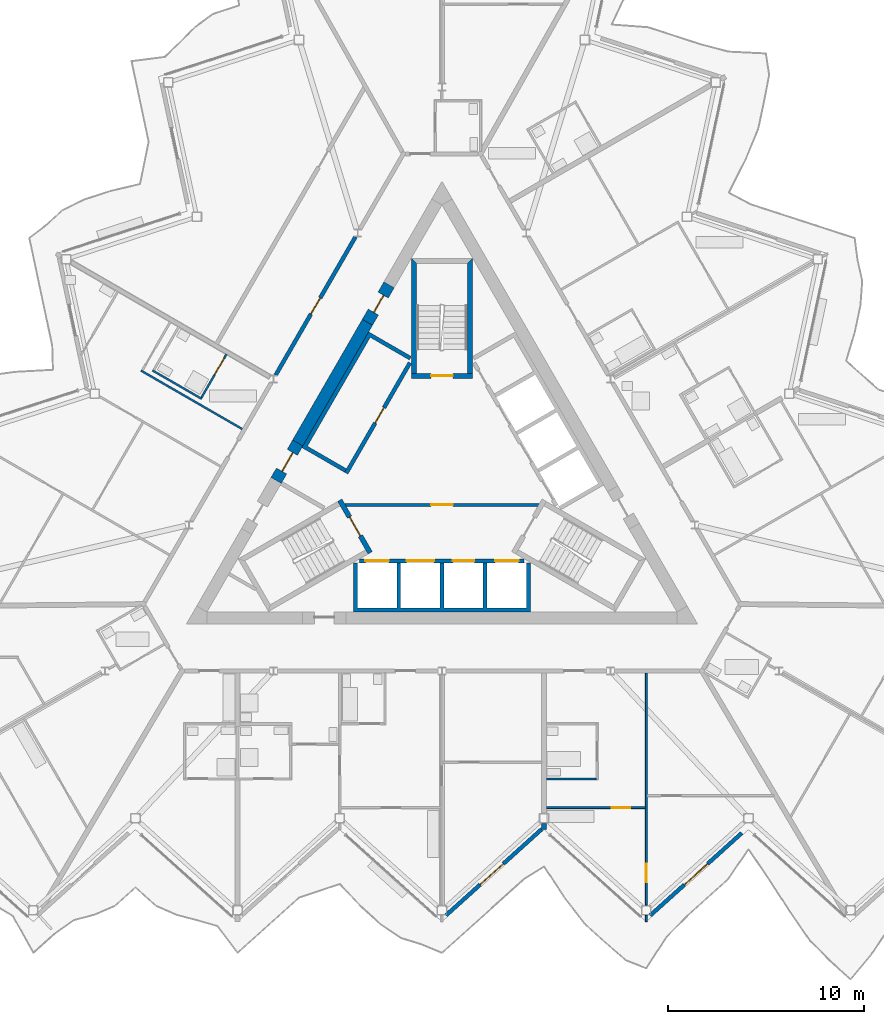
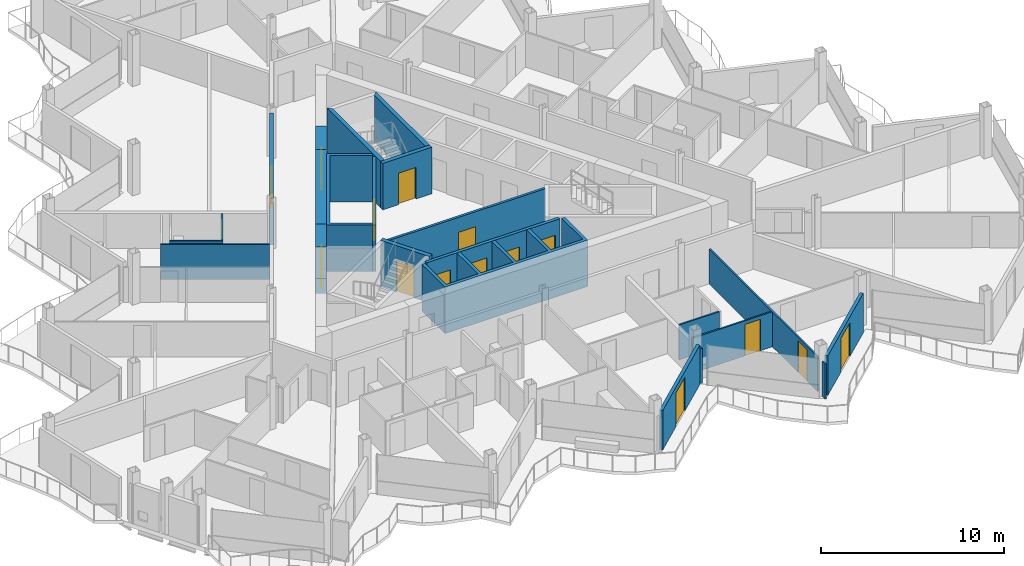
# One storey, part 14 of 26: 23 walls, 16 doors, 16 openings.
"""IFC4 building model written with IfcOpenShell, lengths in metres."""

import ifcopenshell
import ifcopenshell.guid

model = None  # the IFC model being written
_history = None  # IfcOwnerHistory: only IFC2X3 demands one
_inside = {}  # id of a spatial element -> (the spatial element, [elements in it])
_under = {}  # id of a project, library or spatial element -> (it, [spatial elements below it])
_declared = {}  # id of a project -> (the project, [libraries it declares])
_typed = {}  # id of a type object -> (the type object, [elements of that type])
_made_of = {}  # id of a material, layer set ... -> (it, [elements and type objects made of it])


def new_model(schema):
    """Start an empty IFC model of exactly this schema.

    Asked for "IFC4X3", IfcOpenShell would pick the latest addendum, in which some entities
    have other attributes; the version numbers below select the first issue.
    IFC2X3 requires an IfcOwnerHistory on every rooted entity: one is made here for all.
    """
    global model, _history
    if schema == "IFC4X3":
        model = ifcopenshell.file(schema_version=(4, 3, 0, 0))
    else:
        model = ifcopenshell.file(schema=schema)
    _inside.clear()
    _under.clear()
    _declared.clear()
    _typed.clear()
    _made_of.clear()
    _history = None
    if model.schema == "IFC2X3":
        org = make("IfcOrganization", Name="unknown")
        user = make(
            "IfcPersonAndOrganization",
            ThePerson=make("IfcPerson", FamilyName="unknown"),
            TheOrganization=org,
        )
        app = make(
            "IfcApplication",
            ApplicationDeveloper=org,
            Version="unknown",
            ApplicationFullName="unknown",
            ApplicationIdentifier="unknown",
        )
        _history = make(
            "IfcOwnerHistory",
            OwningUser=user,
            OwningApplication=app,
            ChangeAction="ADDED",
            CreationDate=0,
        )
    return model


def make(cls, **values):
    """One entity of the class cls with the attributes given. An attribute that is None is left unset."""
    return model.create_entity(
        cls, **{name: value for name, value in values.items() if value is not None}
    )


def rooted(cls, **values):
    """An entity with a GlobalId (a new one), such as an element, a storey or a relation."""
    return make(cls, GlobalId=ifcopenshell.guid.new(), OwnerHistory=_history, **values)


def si_unit(unit_type, name, prefix=None):
    """IfcSIUnit, for example si_unit("LENGTHUNIT", "METRE", prefix="MILLI")."""
    return make("IfcSIUnit", UnitType=unit_type, Prefix=prefix, Name=name)


def assignment(units):
    """IfcUnitAssignment: the units of a project."""
    return None if units is None else make("IfcUnitAssignment", Units=units)


def point(xyz):
    """IfcCartesianPoint."""
    return None if xyz is None else make("IfcCartesianPoint", Coordinates=xyz)


def direction(xyz):
    """IfcDirection."""
    return None if xyz is None else make("IfcDirection", DirectionRatios=xyz)


def frame(location, z_axis=None, x_axis=None):
    """IfcAxis2Placement3D, a coordinate frame: its origin and axes. An axis left out is left unset."""
    return make(
        "IfcAxis2Placement3D",
        Location=point(location),
        Axis=direction(z_axis),
        RefDirection=direction(x_axis),
    )


def frame_2d(location, x_axis=None):
    """IfcAxis2Placement2D, a coordinate frame in the plane: its origin and x axis."""
    return make(
        "IfcAxis2Placement2D", Location=point(location), RefDirection=direction(x_axis)
    )


def origin():
    """The frame at (0, 0, 0) with its axes left unset."""
    return frame((0.0, 0.0, 0.0))


def place(relative_to, where):
    """IfcLocalPlacement: puts the frame where relative to a parent placement (None: the world)."""
    return make(
        "IfcLocalPlacement", PlacementRelTo=relative_to, RelativePlacement=where
    )


def context(
    kind, dimensions, precision=None, world=None, true_north=None, identifier=None
):
    """IfcGeometricRepresentationContext, for example the 3D "Model" context."""
    return make(
        "IfcGeometricRepresentationContext",
        ContextIdentifier=identifier,
        ContextType=kind,
        CoordinateSpaceDimension=dimensions,
        Precision=precision,
        WorldCoordinateSystem=world,
        TrueNorth=true_north,
    )


def subcontext(parent, identifier, kind, view, scale=None):
    """IfcGeometricRepresentationSubContext, for example "Body" below "Model"."""
    return make(
        "IfcGeometricRepresentationSubContext",
        ContextIdentifier=identifier,
        ContextType=kind,
        ParentContext=parent,
        TargetScale=scale,
        TargetView=view,
    )


def project(units=None, contexts=None):
    """IfcProject with its units and contexts."""
    return rooted(
        "IfcProject",
        Name="project",
        RepresentationContexts=contexts,
        UnitsInContext=assignment(units),
    )


def spatial(cls, under=None, at=None, **own):
    """A site, building, storey or space (cls), placed at a placement, below another one or the project."""
    s = rooted(cls, ObjectPlacement=at, **own)
    if under is not None:
        _under.setdefault(under.id(), (under, []))[1].append(s)
    return s


def polyline(points):
    """IfcPolyline through the points."""
    return make("IfcPolyline", Points=[point(p) for p in points])


def profile(cls, at=None, kind="AREA", **sizes):
    """A parametric profile (cls). Its sizes go by their IFC names, for example OverallWidth=200.0."""
    return make(cls, ProfileType=kind, Position=at, **sizes)


def rectangle(**sizes):
    """IfcRectangleProfileDef."""
    return profile("IfcRectangleProfileDef", **sizes)


def outline(outer, holes=None, kind="AREA"):
    """IfcArbitraryClosedProfileDef: a profile drawn as a closed curve; with holes, ...WithVoids."""
    if holes is None:
        return make("IfcArbitraryClosedProfileDef", ProfileType=kind, OuterCurve=outer)
    return make(
        "IfcArbitraryProfileDefWithVoids",
        ProfileType=kind,
        OuterCurve=outer,
        InnerCurves=holes,
    )


def extrude(swept, where, along, depth):
    """IfcExtrudedAreaSolid: the profile swept, set in the frame where, extruded along a direction by depth."""
    return make(
        "IfcExtrudedAreaSolid",
        SweptArea=swept,
        Position=where,
        ExtrudedDirection=direction(along),
        Depth=depth,
    )


def shape(context_of_items, identifier, shape_type, items):
    """IfcShapeRepresentation: the items that make up one representation, for example the "Body"."""
    return make(
        "IfcShapeRepresentation",
        ContextOfItems=context_of_items,
        RepresentationIdentifier=identifier,
        RepresentationType=shape_type,
        Items=items,
    )


def material(Name=None, Category=None):
    """IfcMaterial."""
    return make("IfcMaterial", Name=Name, Category=Category)


def layer(
    of_material, thickness, ventilated=None, Name=None, Category=None, Priority=None
):
    """IfcMaterialLayer: one layer of a wall or slab, of a material (None: an air gap)."""
    return make(
        "IfcMaterialLayer",
        Material=of_material,
        LayerThickness=thickness,
        IsVentilated=ventilated,
        Name=Name,
        Category=Category,
        Priority=Priority,
    )


def layer_set(layers, Name=None):
    """IfcMaterialLayerSet."""
    return make("IfcMaterialLayerSet", MaterialLayers=layers, LayerSetName=Name)


def made_of(thing, what):
    """Note that an element or type object is made of a material, layer set ...; save() writes the relation."""
    if what is not None:
        _made_of.setdefault(what.id(), (what, []))[1].append(thing)
    return thing


def type_object(cls, material=None, **own):
    """A type object (cls), such as IfcWallType, which elements share."""
    return made_of(rooted(cls, **own), material)


def element(
    cls,
    number,
    at=None,
    inside=None,
    cuts=None,
    type_object=None,
    material=None,
    context=None,
    identifier="Body",
    shape_type=None,
    held_by="IfcProductDefinitionShape",
    body=None,
    shapes=None,
    **own,
):
    """One element of the class cls, such as IfcWall. Its Tag is "e" and its number.

    at: its placement. inside: the storey or other place that contains it. cuts: it is an
    opening in that element (IfcRelVoidsElement). A single representation is given by context,
    identifier, shape_type and body (its items); several are given by shapes. held_by: the class
    of the entity that holds the representations. save() writes the other relations.
    """
    e = rooted(cls, Tag="e%d" % number, ObjectPlacement=at, **own)
    if body is not None:
        shapes = [shape(context, identifier, shape_type, body)]
    if shapes is not None:
        e.Representation = make(held_by, Representations=shapes)
    if inside is not None:
        _inside.setdefault(inside.id(), (inside, []))[1].append(e)
    if cuts is not None:
        rooted(
            "IfcRelVoidsElement", RelatingBuildingElement=cuts, RelatedOpeningElement=e
        )
    if type_object is not None:
        _typed.setdefault(type_object.id(), (type_object, []))[1].append(e)
    return made_of(e, material)


def fill(opening, filler):
    """IfcRelFillsElement: the door or window that sits in an opening."""
    return rooted(
        "IfcRelFillsElement",
        RelatingOpeningElement=opening,
        RelatedBuildingElement=filler,
    )


def aggregate(whole, parts):
    """IfcRelAggregates: a whole, such as a stair, and the parts it consists of."""
    return rooted("IfcRelAggregates", RelatingObject=whole, RelatedObjects=parts)


def save(model, path):
    """Write the relations noted so far, then the file.

    IfcRelAggregates (storeys below a building ...), IfcRelContainedInSpatialStructure (elements
    in a storey), IfcRelDefinesByType, IfcRelAssociatesMaterial and IfcRelDeclares: one each for
    every whole, place, type object, material and project.
    """
    for whole, parts in _under.values():
        aggregate(whole, parts)
    for where, things in _inside.values():
        rooted(
            "IfcRelContainedInSpatialStructure",
            RelatedElements=things,
            RelatingStructure=where,
        )
    for kind, things in _typed.values():
        rooted("IfcRelDefinesByType", RelatedObjects=things, RelatingType=kind)
    for what, things in _made_of.values():
        rooted("IfcRelAssociatesMaterial", RelatedObjects=things, RelatingMaterial=what)
    for by, libraries in _declared.values():
        rooted("IfcRelDeclares", RelatingContext=by, RelatedDefinitions=libraries)
    model.write(path)


model = new_model("IFC4")

# Units and contexts
model_context = context("Model", 3, precision=1e-05, world=origin(), true_north=direction((0.0, 1.0)))
body_context = subcontext(model_context, "Body", "Model", "MODEL_VIEW")
ifc_project = project(units=[si_unit("LENGTHUNIT", "METRE"), si_unit("AREAUNIT", "SQUARE_METRE"), si_unit("VOLUMEUNIT", "CUBIC_METRE"), si_unit("PLANEANGLEUNIT", "RADIAN"), si_unit("MASSUNIT", "GRAM", prefix="KILO")], contexts=[model_context])

# Site, building, storey
site_placement = place(None, origin())
site = spatial("IfcSite", under=ifc_project, at=site_placement, CompositionType="ELEMENT")
building_placement = place(site_placement, origin())
building = spatial("IfcBuilding", under=site, at=building_placement, Name="Cormorant Prow Tower", CompositionType="ELEMENT")
storey_placement = place(building_placement, frame((0.0, 0.0, 378.0)))
storey = spatial("IfcBuildingStorey", under=building, at=storey_placement, Name="L85", CompositionType="ELEMENT", Elevation=378.0)

# Wall, opening, door
ifc_material_1 = material(Name="Gypsum board partition")
ifc_layer_1 = layer(ifc_material_1, 0.14990234375)
ifc_layer_set_1 = layer_set([ifc_layer_1], Name="Gypsum board partition")
wall_type_1 = type_object("IfcWallType", Name="Core partition 150", PredefinedType="PARTITIONING", material=ifc_layer_set_1)
wall_1_placement = place(storey_placement, frame((-4.941162109375, -1.449951171875, 0.0), z_axis=(0.0, 0.0, 1.0), x_axis=(1.0, 0.0, 0.0)))
wall_1 = element("IfcWall", 1, at=wall_1_placement, inside=storey, type_object=wall_type_1, Name="Firefighting lobby partition", PredefinedType="PARTITIONING", context=body_context, shape_type="SweptSolid", body=[
    extrude(rectangle(XDim=9.88232421875, YDim=0.14990234375, at=frame_2d((4.941162109375, 0.0))), origin(), (0.0, 0.0, 1.0), 3.10009765625),
])
opening_1_placement = place(wall_1_placement, frame((4.39111328125, 0.0, 0.0)))
opening_1 = element("IfcOpeningElement", 2, at=opening_1_placement, cuts=wall_1, Name="Opening L85-C10", PredefinedType="OPENING", context=body_context, shape_type="SweptSolid", body=[
    extrude(rectangle(XDim=1.10009765625, YDim=2.10009765625, at=frame_2d((0.550048828125, 1.050048828125))), frame((0.0, 0.0849609375, 0.0), z_axis=(0.0, -1.0, 0.0), x_axis=(1.0, 0.0, 0.0)), (0.0, 0.0, 1.0), 0.169921875),
])
ifc_material_2 = material(Name="Painted steel", Category="steel")
door_type_1 = type_object("IfcDoorType", Name="Firefighting lobby door 1100x2100", OperationType="NOTDEFINED", PredefinedType="DOOR", material=ifc_material_2)
door_1_placement = place(opening_1_placement, origin())
door_1 = element("IfcDoor", 3, at=door_1_placement, inside=storey, type_object=door_type_1, Name="Firefighting lobby door", OperationType="SINGLE_SWING_RIGHT", OverallHeight=2.10009765625, OverallWidth=1.10009765625, PredefinedType="DOOR", context=body_context, shape_type="SweptSolid", body=[
    extrude(rectangle(XDim=1.10009765625, YDim=2.10009765625, at=frame_2d((0.550048828125, 1.050048828125))), frame((0.0, 0.02490234375, 0.0), z_axis=(0.0, -1.0, 0.0), x_axis=(1.0, 0.0, 0.0)), (0.0, 0.0, 1.0), 0.050048828125),
])
fill(opening_1, door_1)

# Wall
ifc_material_3 = material(Name="Concrete 8000 psi", Category="concrete")
ifc_layer_2 = layer(ifc_material_3, 0.60009765625)
ifc_layer_set_2 = layer_set([ifc_layer_2], Name="Concrete 8000 psi")
wall_type_2 = type_object("IfcWallType", Name="Core shear wall 600", PredefinedType="SHEAR", material=ifc_layer_set_2)
wall_2_placement = place(storey_placement, frame((-3.794189453125, 7.839599609375, 0.0), z_axis=(0.0, 0.0, 1.0), x_axis=(-0.499974747889, -0.866039982607, 0.0)))
element("IfcWall", 4, at=wall_2_placement, inside=storey, type_object=wall_type_2, Name="Core wall", PredefinedType="SHEAR", context=body_context, shape_type="SweptSolid", body=[
    extrude(rectangle(XDim=7.092041015625, YDim=0.60009765625, at=frame_2d((3.5458984375, 0.0))), origin(), (0.0, 0.0, 1.0), 3.10009765625),
])

# Wall, opening, door
wall_3_placement = place(storey_placement, frame((-2.694091796875, 9.744873046875, 0.0), z_axis=(0.0, 0.0, 1.0), x_axis=(-0.50002983664, -0.866008176907, 0.0)))
wall_3 = element("IfcWall", 5, at=wall_3_placement, inside=storey, type_object=wall_type_2, Name="Core wall door panel", PredefinedType="SHEAR", context=body_context, shape_type="SweptSolid", body=[
    extrude(rectangle(XDim=2.199951171875, YDim=0.60009765625, at=frame_2d((1.10009765625, 0.0))), origin(), (0.0, 0.0, 1.0), 3.10009765625),
])
opening_2_placement = place(wall_3_placement, frame((0.60009765625, 0.0, 0.0)))
opening_2 = element("IfcOpeningElement", 6, at=opening_2_placement, cuts=wall_3, Name="Opening L85-C17", PredefinedType="OPENING", context=body_context, shape_type="SweptSolid", body=[
    extrude(rectangle(XDim=1.0, YDim=2.10009765625, at=frame_2d((0.5, 1.050048828125))), frame((0.0, 0.31005859375, 0.0), z_axis=(0.0, -1.0, 0.0), x_axis=(1.0, 0.0, 0.0)), (0.0, 0.0, 1.0), 0.6201171875),
])
ifc_material_4 = material(Name="Painted steel", Category="steel")
door_type_2 = type_object("IfcDoorType", Name="Service door 1000x2100", OperationType="NOTDEFINED", PredefinedType="DOOR", material=ifc_material_4)
door_2_placement = place(opening_2_placement, origin())
door_2 = element("IfcDoor", 7, at=door_2_placement, inside=storey, type_object=door_type_2, Name="Core door, Refuse store", OperationType="SINGLE_SWING_LEFT", OverallHeight=2.10009765625, OverallWidth=1.0, PredefinedType="DOOR", context=body_context, shape_type="SweptSolid", body=[
    extrude(rectangle(XDim=1.0, YDim=2.10009765625, at=frame_2d((0.5, 1.050048828125))), frame((0.0, 0.05517578125, 0.0), z_axis=(0.0, -1.0, 0.0), x_axis=(1.0, 0.0, 0.0)), (0.0, 0.0, 1.0), 0.050048828125),
])
fill(opening_2, door_2)

wall_4_placement = place(storey_placement, frame((-7.340087890625, 1.697509765625, 0.0), z_axis=(0.0, 0.0, 1.0), x_axis=(-0.50002983664, -0.866008176907, 0.0)))
wall_4 = element("IfcWall", 8, at=wall_4_placement, inside=storey, type_object=wall_type_2, Name="Core wall door panel", PredefinedType="SHEAR", context=body_context, shape_type="SweptSolid", body=[
    extrude(rectangle(XDim=2.199951171875, YDim=0.60009765625, at=frame_2d((1.10009765625, 0.0))), origin(), (0.0, 0.0, 1.0), 3.10009765625),
])
opening_3_placement = place(wall_4_placement, frame((0.550048828125, 0.0, 0.0)))
opening_3 = element("IfcOpeningElement", 9, at=opening_3_placement, cuts=wall_4, Name="Opening L85-C18", PredefinedType="OPENING", context=body_context, shape_type="SweptSolid", body=[
    extrude(rectangle(XDim=1.10009765625, YDim=2.10009765625, at=frame_2d((0.550048828125, 1.050048828125))), frame((0.0, 0.31005859375, 0.0), z_axis=(0.0, -1.0, 0.0), x_axis=(1.0, 0.0, 0.0)), (0.0, 0.0, 1.0), 0.6201171875),
])
ifc_material_5 = material(Name="Painted steel", Category="steel")
door_type_3 = type_object("IfcDoorType", Name="Core door 1100x2100", OperationType="NOTDEFINED", PredefinedType="DOOR", material=ifc_material_5)
door_3_placement = place(opening_3_placement, origin())
door_3 = element("IfcDoor", 10, at=door_3_placement, inside=storey, type_object=door_type_3, Name="Core door, lift lobby", OperationType="SINGLE_SWING_RIGHT", OverallHeight=2.10009765625, OverallWidth=1.10009765625, PredefinedType="DOOR", context=body_context, shape_type="SweptSolid", body=[
    extrude(rectangle(XDim=1.10009765625, YDim=2.10009765625, at=frame_2d((0.550048828125, 1.050048828125))), frame((0.0, 0.05517578125, 0.0), z_axis=(0.0, -1.0, 0.0), x_axis=(1.0, 0.0, 0.0)), (0.0, 0.0, 1.0), 0.050048828125),
])
fill(opening_3, door_3)

ifc_material_6 = material(Name="Gypsum board corridor wall")
ifc_layer_3 = layer(ifc_material_6, 0.199951171875)
ifc_layer_set_3 = layer_set([ifc_layer_3], Name="Gypsum board corridor wall")
wall_type_3 = type_object("IfcWallType", Name="Corridor wall 200", PredefinedType="PARTITIONING", material=ifc_layer_set_3)
wall_5_placement = place(storey_placement, frame((-8.464599609375, 5.14990234375, 0.0), z_axis=(0.0, 0.0, 1.0), x_axis=(0.499992155518, 0.866029932751, 0.0)))
wall_5 = element("IfcWall", 11, at=wall_5_placement, inside=storey, type_object=wall_type_3, Name="Corridor wall", PredefinedType="PARTITIONING", context=body_context, shape_type="SweptSolid", body=[
    extrude(rectangle(XDim=8.123291015625, YDim=0.199951171875, at=frame_2d((4.0615234375, 0.0))), origin(), (0.0, 0.0, 1.0), 3.10009765625),
])
opening_4_placement = place(wall_5_placement, frame((3.586669921875, 0.0, 0.0)))
opening_4 = element("IfcOpeningElement", 12, at=opening_4_placement, cuts=wall_5, Name="Opening L85-F43", PredefinedType="OPENING", context=body_context, shape_type="SweptSolid", body=[
    extrude(rectangle(XDim=0.949951171875, YDim=2.10009765625, at=frame_2d((0.47509765625, 1.050048828125))), frame((0.0, 0.10986328125, 0.0), z_axis=(0.0, -1.0, 0.0), x_axis=(1.0, 0.0, 0.0)), (0.0, 0.0, 1.0), 0.219970703125),
])
ifc_material_7 = material(Name="Timber door leaf", Category="wood")
door_type_4 = type_object("IfcDoorType", Name="Store door 950x2100", OperationType="NOTDEFINED", PredefinedType="DOOR", material=ifc_material_7)
door_4_placement = place(opening_4_placement, origin())
door_4 = element("IfcDoor", 13, at=door_4_placement, inside=storey, type_object=door_type_4, Name="Bicycle store door", OperationType="SINGLE_SWING_RIGHT", OverallHeight=2.10009765625, OverallWidth=0.949951171875, PredefinedType="DOOR", context=body_context, shape_type="SweptSolid", body=[
    extrude(rectangle(XDim=0.949951171875, YDim=2.10009765625, at=frame_2d((0.47509765625, 1.050048828125))), frame((0.0, 0.02490234375, 0.0), z_axis=(0.0, -1.0, 0.0), x_axis=(1.0, 0.0, 0.0)), (0.0, 0.0, 1.0), 0.050048828125),
])
fill(opening_4, door_4)

ifc_material_8 = material(Name="Gypsum board partition")
ifc_layer_4 = layer(ifc_material_8, 0.10009765625)
ifc_layer_set_4 = layer_set([ifc_layer_4], Name="Gypsum board partition")
wall_type_4 = type_object("IfcWallType", Name="Internal partition 100", PredefinedType="PARTITIONING", material=ifc_layer_set_4)
wall_6_placement = place(storey_placement, frame((10.39990234375, -21.827880859375, 0.0), z_axis=(0.0, 0.0, 1.0), x_axis=(0.0, 1.0, 0.0)))
wall_6 = element("IfcWall", 14, at=wall_6_placement, inside=storey, type_object=wall_type_4, Name="Internal partition", PredefinedType="PARTITIONING", context=body_context, shape_type="SweptSolid", body=[
    extrude(rectangle(XDim=11.822265625, YDim=0.10009765625, at=frame_2d((5.9111328125, 0.0))), origin(), (0.0, 0.0, 1.0), 2.330078125),
])
opening_5_placement = place(wall_6_placement, frame((1.15625, 0.0, 0.0)))
opening_5 = element("IfcOpeningElement", 15, at=opening_5_placement, cuts=wall_6, Name="Opening L85-F14", PredefinedType="OPENING", context=body_context, shape_type="SweptSolid", body=[
    extrude(rectangle(XDim=0.949951171875, YDim=2.10009765625, at=frame_2d((0.47509765625, 1.050048828125))), frame((0.0, 0.06005859375, 0.0), z_axis=(0.0, -1.0, 0.0), x_axis=(1.0, 0.0, 0.0)), (0.0, 0.0, 1.0), 0.1201171875),
])
ifc_material_9 = material(Name="Timber door leaf", Category="wood")
door_type_5 = type_object("IfcDoorType", Name="Bathroom door 950x2100", OperationType="NOTDEFINED", PredefinedType="DOOR", material=ifc_material_9)
door_5_placement = place(opening_5_placement, origin())
door_5 = element("IfcDoor", 16, at=door_5_placement, inside=storey, type_object=door_type_5, Name="Kitchen door", OperationType="SINGLE_SWING_RIGHT", OverallHeight=2.10009765625, OverallWidth=0.949951171875, PredefinedType="DOOR", context=body_context, shape_type="SweptSolid", body=[
    extrude(rectangle(XDim=0.949951171875, YDim=2.10009765625, at=frame_2d((0.47509765625, 1.050048828125))), frame((0.0, 0.02490234375, 0.0), z_axis=(0.0, -1.0, 0.0), x_axis=(1.0, 0.0, 0.0)), (0.0, 0.0, 1.0), 0.050048828125),
])
fill(opening_5, door_5)

# Wall
wall_7_placement = place(storey_placement, frame((-15.31787109375, 5.379638671875, 0.0), z_axis=(0.0, 0.0, 1.0), x_axis=(0.866035260786, -0.499982926783, 0.0)))
element("IfcWall", 17, at=wall_7_placement, inside=storey, type_object=wall_type_4, Name="Internal partition", PredefinedType="PARTITIONING", context=body_context, shape_type="SweptSolid", body=[
    extrude(rectangle(XDim=5.949951171875, YDim=0.10009765625, at=frame_2d((2.97509765625, 0.0))), origin(), (0.0, 0.0, 1.0), 2.330078125),
])

# Wall, opening, door
wall_8_placement = place(storey_placement, frame((5.324951171875, -16.863037109375, 0.0), z_axis=(0.0, 0.0, 1.0), x_axis=(1.0, 0.0, 0.0)))
wall_8 = element("IfcWall", 18, at=wall_8_placement, inside=storey, type_object=wall_type_4, Name="Internal partition", PredefinedType="PARTITIONING", context=body_context, shape_type="SweptSolid", body=[
    extrude(rectangle(XDim=5.025146484375, YDim=0.10009765625, at=frame_2d((2.5126953125, 0.0))), origin(), (0.0, 0.0, 1.0), 2.330078125),
])
opening_6_placement = place(wall_8_placement, frame((3.314208984375, 0.0, 0.0)))
opening_6 = element("IfcOpeningElement", 19, at=opening_6_placement, cuts=wall_8, Name="Opening L85-F13", PredefinedType="OPENING", context=body_context, shape_type="SweptSolid", body=[
    extrude(rectangle(XDim=0.949951171875, YDim=2.10009765625, at=frame_2d((0.47509765625, 1.050048828125))), frame((0.0, 0.06005859375, 0.0), z_axis=(0.0, -1.0, 0.0), x_axis=(1.0, 0.0, 0.0)), (0.0, 0.0, 1.0), 0.1201171875),
])
door_6_placement = place(opening_6_placement, origin())
door_6 = element("IfcDoor", 20, at=door_6_placement, inside=storey, type_object=door_type_5, Name="Living room door", OperationType="SINGLE_SWING_RIGHT", OverallHeight=2.10009765625, OverallWidth=0.949951171875, PredefinedType="DOOR", context=body_context, shape_type="SweptSolid", body=[
    extrude(rectangle(XDim=0.949951171875, YDim=2.10009765625, at=frame_2d((0.47509765625, 1.050048828125))), frame((0.0, 0.02490234375, 0.0), z_axis=(0.0, -1.0, 0.0), x_axis=(1.0, 0.0, 0.0)), (0.0, 0.0, 1.0), 0.050048828125),
])
fill(opening_6, door_6)

# Walls
wall_9_placement = place(storey_placement, frame((-14.73486328125, 5.389404296875, 0.0), z_axis=(0.0, 0.0, 1.0), x_axis=(0.866032775405, -0.499987231761, 0.0)))
element("IfcWall", 21, at=wall_9_placement, inside=storey, type_object=wall_type_4, Name="Internal partition", PredefinedType="PARTITIONING", context=body_context, shape_type="SweptSolid", body=[
    extrude(rectangle(XDim=2.89990234375, YDim=0.10009765625, at=frame_2d((1.449951171875, 0.0))), origin(), (0.0, 0.0, 1.0), 2.330078125),
])
wall_10_placement = place(storey_placement, frame((5.324951171875, -15.405517578125, 0.0), z_axis=(0.0, 0.0, 1.0), x_axis=(1.0, 0.0, 0.0)))
element("IfcWall", 22, at=wall_10_placement, inside=storey, type_object=wall_type_4, Name="Internal partition", PredefinedType="PARTITIONING", context=body_context, shape_type="SweptSolid", body=[
    extrude(rectangle(XDim=2.525146484375, YDim=0.10009765625, at=frame_2d((1.2626953125, 0.0))), origin(), (0.0, 0.0, 1.0), 2.330078125),
])

# Wall, opening, door
wall_11_placement = place(storey_placement, frame((-12.24169921875, 4.0078125, 0.0), z_axis=(0.0, 0.0, 1.0), x_axis=(0.499948979701, 0.866054858364, 0.0)))
wall_11 = element("IfcWall", 23, at=wall_11_placement, inside=storey, type_object=wall_type_4, Name="Internal partition", PredefinedType="PARTITIONING", context=body_context, shape_type="SweptSolid", body=[
    extrude(rectangle(XDim=2.550048828125, YDim=0.10009765625, at=frame_2d((1.27490234375, 0.0))), origin(), (0.0, 0.0, 1.0), 2.330078125),
])
opening_7_placement = place(wall_11_placement, frame((1.35009765625, 0.0, 0.0)))
opening_7 = element("IfcOpeningElement", 24, at=opening_7_placement, cuts=wall_11, Name="Opening L85-F52", PredefinedType="OPENING", context=body_context, shape_type="SweptSolid", body=[
    extrude(rectangle(XDim=0.949951171875, YDim=2.10009765625, at=frame_2d((0.47509765625, 1.050048828125))), frame((0.0, 0.06005859375, 0.0), z_axis=(0.0, -1.0, 0.0), x_axis=(1.0, 0.0, 0.0)), (0.0, 0.0, 1.0), 0.1201171875),
])
door_7_placement = place(opening_7_placement, origin())
door_7 = element("IfcDoor", 25, at=door_7_placement, inside=storey, type_object=door_type_5, Name="Kitchen door", OperationType="SINGLE_SWING_RIGHT", OverallHeight=2.10009765625, OverallWidth=0.949951171875, PredefinedType="DOOR", context=body_context, shape_type="SweptSolid", body=[
    extrude(rectangle(XDim=0.949951171875, YDim=2.10009765625, at=frame_2d((0.47509765625, 1.050048828125))), frame((0.0, 0.02490234375, 0.0), z_axis=(0.0, -1.0, 0.0), x_axis=(1.0, 0.0, 0.0)), (0.0, 0.0, 1.0), 0.050048828125),
])
fill(opening_7, door_7)

# Wall
wall_12_placement = place(storey_placement, frame((10.39990234375, -22.66552734375, 0.0), z_axis=(0.0, 0.0, 1.0), x_axis=(0.0, 1.0, 0.0)))
element("IfcWall", 26, at=wall_12_placement, inside=storey, type_object=wall_type_4, Name="Internal partition", PredefinedType="PARTITIONING", context=body_context, shape_type="SweptSolid", body=[
    extrude(rectangle(XDim=0.317626953125, YDim=0.10009765625, at=frame_2d((0.15869140625, 0.0))), origin(), (0.0, 0.0, 1.0), 2.330078125),
])

# Wall, openings, doors
ifc_material_10 = material(Name="Concrete 5000 psi", Category="concrete")
ifc_layer_5 = layer(ifc_material_10, 0.199951171875)
ifc_layer_set_5 = layer_set([ifc_layer_5], Name="Concrete 5000 psi")
wall_type_5 = type_object("IfcWallType", Name="Lift lobby wall 200", PredefinedType="SOLIDWALL", material=ifc_layer_set_5)
wall_13_placement = place(storey_placement, frame((-4.1865234375, -4.300048828125, 0.0), z_axis=(0.0, 0.0, 1.0), x_axis=(1.0, 0.0, 0.0)))
wall_13 = element("IfcWall", 27, at=wall_13_placement, inside=storey, type_object=wall_type_5, Name="Lift lobby wall, S block", PredefinedType="SOLIDWALL", context=body_context, shape_type="SweptSolid", body=[
    extrude(rectangle(XDim=8.373046875, YDim=0.199951171875, at=frame_2d((4.1865234375, 0.0))), origin(), (0.0, 0.0, 1.0), 3.10009765625),
])
opening_8_placement = place(wall_13_placement, frame((0.28662109375, 0.0, 0.0)))
opening_8 = element("IfcOpeningElement", 28, at=opening_8_placement, cuts=wall_13, Name="Opening L85-C01", PredefinedType="OPENING", context=body_context, shape_type="SweptSolid", body=[
    extrude(rectangle(XDim=1.199951171875, YDim=2.10009765625, at=frame_2d((0.60009765625, 1.050048828125))), frame((0.0, 0.10986328125, 0.0), z_axis=(0.0, -1.0, 0.0), x_axis=(1.0, 0.0, 0.0)), (0.0, 0.0, 1.0), 0.219970703125),
])
opening_9_placement = place(wall_13_placement, frame((2.38671875, 0.0, 0.0)))
opening_9 = element("IfcOpeningElement", 29, at=opening_9_placement, cuts=wall_13, Name="Opening L85-C02", PredefinedType="OPENING", context=body_context, shape_type="SweptSolid", body=[
    extrude(rectangle(XDim=1.39990234375, YDim=2.10009765625, at=frame_2d((0.699951171875, 1.050048828125))), frame((0.0, 0.10986328125, 0.0), z_axis=(0.0, -1.0, 0.0), x_axis=(1.0, 0.0, 0.0)), (0.0, 0.0, 1.0), 0.219970703125),
])
opening_10_placement = place(wall_13_placement, frame((4.736572265625, 0.0, 0.0)))
opening_10 = element("IfcOpeningElement", 30, at=opening_10_placement, cuts=wall_13, Name="Opening L85-C03", PredefinedType="OPENING", context=body_context, shape_type="SweptSolid", body=[
    extrude(rectangle(XDim=1.10009765625, YDim=2.10009765625, at=frame_2d((0.550048828125, 1.050048828125))), frame((0.0, 0.10986328125, 0.0), z_axis=(0.0, -1.0, 0.0), x_axis=(1.0, 0.0, 0.0)), (0.0, 0.0, 1.0), 0.219970703125),
])
opening_11_placement = place(wall_13_placement, frame((6.88671875, 0.0, 0.0)))
opening_11 = element("IfcOpeningElement", 31, at=opening_11_placement, cuts=wall_13, Name="Opening L85-C04", PredefinedType="OPENING", context=body_context, shape_type="SweptSolid", body=[
    extrude(rectangle(XDim=1.199951171875, YDim=2.10009765625, at=frame_2d((0.60009765625, 1.050048828125))), frame((0.0, 0.10986328125, 0.0), z_axis=(0.0, -1.0, 0.0), x_axis=(1.0, 0.0, 0.0)), (0.0, 0.0, 1.0), 0.219970703125),
])
ifc_material_11 = material(Name="Painted steel", Category="steel")
door_type_6 = type_object("IfcDoorType", Name="Firefighting lift landing door 1200x2100", OperationType="SLIDING_TO_LEFT", PredefinedType="DOOR", material=ifc_material_11)
door_8_placement = place(opening_8_placement, origin())
door_8 = element("IfcDoor", 32, at=door_8_placement, inside=storey, type_object=door_type_6, Name="Landing door FL1", OperationType="SLIDING_TO_LEFT", OverallHeight=2.10009765625, OverallWidth=1.199951171875, PredefinedType="DOOR", context=body_context, shape_type="SweptSolid", body=[
    extrude(rectangle(XDim=1.199951171875, YDim=2.10009765625, at=frame_2d((0.60009765625, 1.050048828125))), frame((0.0, 0.02490234375, 0.0), z_axis=(0.0, -1.0, 0.0), x_axis=(1.0, 0.0, 0.0)), (0.0, 0.0, 1.0), 0.050048828125),
])
fill(opening_8, door_8)
door_9_placement = place(opening_11_placement, origin())
door_9 = element("IfcDoor", 33, at=door_9_placement, inside=storey, type_object=door_type_6, Name="Landing door FL2", OperationType="SLIDING_TO_LEFT", OverallHeight=2.10009765625, OverallWidth=1.199951171875, PredefinedType="DOOR", context=body_context, shape_type="SweptSolid", body=[
    extrude(rectangle(XDim=1.199951171875, YDim=2.10009765625, at=frame_2d((0.60009765625, 1.050048828125))), frame((0.0, 0.02490234375, 0.0), z_axis=(0.0, -1.0, 0.0), x_axis=(1.0, 0.0, 0.0)), (0.0, 0.0, 1.0), 0.050048828125),
])
fill(opening_11, door_9)
ifc_material_12 = material(Name="Painted steel", Category="steel")
door_type_7 = type_object("IfcDoorType", Name="Lift landing door 1100x2100", OperationType="SLIDING_TO_LEFT", PredefinedType="DOOR", material=ifc_material_12)
door_10_placement = place(opening_10_placement, origin())
door_10 = element("IfcDoor", 34, at=door_10_placement, inside=storey, type_object=door_type_7, Name="Landing door HR1", OperationType="SLIDING_TO_LEFT", OverallHeight=2.10009765625, OverallWidth=1.10009765625, PredefinedType="DOOR", context=body_context, shape_type="SweptSolid", body=[
    extrude(rectangle(XDim=1.10009765625, YDim=2.10009765625, at=frame_2d((0.550048828125, 1.050048828125))), frame((0.0, 0.02490234375, 0.0), z_axis=(0.0, -1.0, 0.0), x_axis=(1.0, 0.0, 0.0)), (0.0, 0.0, 1.0), 0.050048828125),
])
fill(opening_10, door_10)
ifc_material_13 = material(Name="Painted steel", Category="steel")
door_type_8 = type_object("IfcDoorType", Name="Service lift landing door 1400x2100", OperationType="SLIDING_TO_LEFT", PredefinedType="DOOR", material=ifc_material_13)
door_11_placement = place(opening_9_placement, origin())
door_11 = element("IfcDoor", 35, at=door_11_placement, inside=storey, type_object=door_type_8, Name="Landing door SL1", OperationType="SLIDING_TO_LEFT", OverallHeight=2.10009765625, OverallWidth=1.39990234375, PredefinedType="DOOR", context=body_context, shape_type="SweptSolid", body=[
    extrude(rectangle(XDim=1.39990234375, YDim=2.10009765625, at=frame_2d((0.699951171875, 1.050048828125))), frame((0.0, 0.02490234375, 0.0), z_axis=(0.0, -1.0, 0.0), x_axis=(1.0, 0.0, 0.0)), (0.0, 0.0, 1.0), 0.050048828125),
])
fill(opening_9, door_11)

# Wall, opening, door
wall_14_placement = place(storey_placement, frame((-1.630615234375, 5.775634765625, 0.0), z_axis=(0.0, 0.0, 1.0), x_axis=(-0.499992876559, -0.866029516466, 0.0)))
wall_14 = element("IfcWall", 36, at=wall_14_placement, inside=storey, type_object=wall_type_5, Name="Lift lobby wall, WNW block", PredefinedType="SOLIDWALL", context=body_context, shape_type="SweptSolid", body=[
    extrude(rectangle(XDim=6.486328125, YDim=0.199951171875, at=frame_2d((3.2431640625, 0.0))), origin(), (0.0, 0.0, 1.0), 3.10009765625),
])
opening_12_placement = place(wall_14_placement, frame((2.63671875, 0.0, 0.0)))
opening_12 = element("IfcOpeningElement", 37, at=opening_12_placement, cuts=wall_14, Name="Opening L85-C09", PredefinedType="OPENING", context=body_context, shape_type="SweptSolid", body=[
    extrude(rectangle(XDim=0.89990234375, YDim=2.10009765625, at=frame_2d((0.449951171875, 1.050048828125))), frame((0.0, 0.10986328125, 0.0), z_axis=(0.0, -1.0, 0.0), x_axis=(1.0, 0.0, 0.0)), (0.0, 0.0, 1.0), 0.219970703125),
])
ifc_material_14 = material(Name="Painted steel", Category="steel")
door_type_9 = type_object("IfcDoorType", Name="Service door 900x2100", OperationType="NOTDEFINED", PredefinedType="DOOR", material=ifc_material_14)
door_12_placement = place(opening_12_placement, origin())
door_12 = element("IfcDoor", 38, at=door_12_placement, inside=storey, type_object=door_type_9, Name="Service door, Housekeeping store", OperationType="SINGLE_SWING_RIGHT", OverallHeight=2.10009765625, OverallWidth=0.89990234375, PredefinedType="DOOR", context=body_context, shape_type="SweptSolid", body=[
    extrude(rectangle(XDim=0.89990234375, YDim=2.10009765625, at=frame_2d((0.449951171875, 1.050048828125))), frame((0.0, 0.02490234375, 0.0), z_axis=(0.0, -1.0, 0.0), x_axis=(1.0, 0.0, 0.0)), (0.0, 0.0, 1.0), 0.050048828125),
])
fill(opening_12, door_12)

# Walls
ifc_material_15 = material(Name="Concrete 8000 psi", Category="concrete")
ifc_layer_6 = layer(ifc_material_15, 0.199951171875)
ifc_layer_set_6 = layer_set([ifc_layer_6], Name="Concrete 8000 psi")
wall_type_6 = type_object("IfcWallType", Name="Lift shaft wall 200", PredefinedType="SHEAR", material=ifc_layer_set_6)
wall_15_placement = place(storey_placement, origin())
element("IfcWall", 39, at=wall_15_placement, inside=storey, type_object=wall_type_6, Name="Lift shaft walls, S block", PredefinedType="SHEAR", context=body_context, shape_type="SweptSolid", body=[
    extrude(outline(polyline([(4.5, -4.39990234375), (4.5, -6.906005859375), (-4.5, -6.906005859375), (-4.5, -4.39990234375), (-4.300048828125, -4.39990234375), (-4.300048828125, -6.699951171875), (-2.300048828125, -6.699951171875), (-2.300048828125, -4.39990234375), (-2.10009765625, -4.39990234375), (-2.10009765625, -6.699951171875), (-0.10009765625, -6.699951171875), (-0.10009765625, -4.39990234375), (0.10009765625, -4.39990234375), (0.10009765625, -6.699951171875), (2.10009765625, -6.699951171875), (2.10009765625, -4.39990234375), (2.300048828125, -4.39990234375), (2.300048828125, -6.699951171875), (4.300048828125, -6.699951171875), (4.300048828125, -4.39990234375), (4.5, -4.39990234375)])), origin(), (0.0, 0.0, 1.0), 3.10009765625),
])
wall_16_placement = place(storey_placement, origin())
element("IfcWall", 40, at=wall_16_placement, inside=storey, type_object=wall_type_6, Name="Lift shaft walls, WNW block", PredefinedType="SHEAR", context=body_context, shape_type="SweptSolid", body=[
    extrude(outline(polyline([(-4.96044921875, 0.2080078125), (-7.130859375, 1.461181640625), (-3.730712890625, 7.35009765625), (-1.560546875, 6.09716796875), (-1.660400390625, 5.923828125), (-3.65234375, 7.073974609375), (-6.852294921875, 1.53125), (-4.860595703125, 0.38134765625), (-4.96044921875, 0.2080078125)])), origin(), (0.0, 0.0, 1.0), 3.10009765625),
])

# Wall, opening, door
ifc_material_16 = material(Name="Concrete 8000 psi", Category="concrete")
ifc_layer_7 = layer(ifc_material_16, 0.25)
ifc_layer_set_7 = layer_set([ifc_layer_7], Name="Concrete 8000 psi")
wall_type_7 = type_object("IfcWallType", Name="Stair wall 250", PredefinedType="SHEAR", material=ifc_layer_set_7)
wall_17_placement = place(storey_placement, frame((-5.198974609375, -1.21875, 0.0), z_axis=(0.0, 0.0, 1.0), x_axis=(0.499982516597, -0.866035497597, 0.0)))
wall_17 = element("IfcWall", 41, at=wall_17_placement, inside=storey, type_object=wall_type_7, Name="Stair ST1 door wall", PredefinedType="SHEAR", context=body_context, shape_type="SweptSolid", body=[
    extrude(rectangle(XDim=3.087890625, YDim=0.25, at=frame_2d((1.5439453125, 0.0))), origin(), (0.0, 0.0, 1.0), 3.10009765625),
])
opening_13_placement = place(wall_17_placement, frame((0.993896484375, 0.0, 0.0)))
opening_13 = element("IfcOpeningElement", 42, at=opening_13_placement, cuts=wall_17, Name="Opening L85-C11", PredefinedType="OPENING", context=body_context, shape_type="SweptSolid", body=[
    extrude(rectangle(XDim=1.10009765625, YDim=2.10009765625, at=frame_2d((0.550048828125, 1.050048828125))), frame((0.0, 0.135009765625, 0.0), z_axis=(0.0, -1.0, 0.0), x_axis=(1.0, 0.0, 0.0)), (0.0, 0.0, 1.0), 0.27001953125),
])
ifc_material_17 = material(Name="Painted steel", Category="steel")
door_type_10 = type_object("IfcDoorType", Name="Stair door 1100x2100", OperationType="NOTDEFINED", PredefinedType="DOOR", material=ifc_material_17)
door_13_placement = place(opening_13_placement, origin())
door_13 = element("IfcDoor", 43, at=door_13_placement, inside=storey, type_object=door_type_10, Name="Stair ST1 door", OperationType="SINGLE_SWING_LEFT", OverallHeight=2.10009765625, OverallWidth=1.10009765625, PredefinedType="DOOR", context=body_context, shape_type="SweptSolid", body=[
    extrude(rectangle(XDim=1.10009765625, YDim=2.10009765625, at=frame_2d((0.550048828125, 1.050048828125))), frame((0.0, 0.02490234375, 0.0), z_axis=(0.0, -1.0, 0.0), x_axis=(1.0, 0.0, 0.0)), (0.0, 0.0, 1.0), 0.050048828125),
])
fill(opening_13, door_13)

# Walls
wall_18_placement = place(storey_placement, origin())
element("IfcWall", 44, at=wall_18_placement, inside=storey, type_object=wall_type_7, Name="Stair ST3 enclosure wall (flank)", PredefinedType="SHEAR", context=body_context, shape_type="SweptSolid", body=[
    extrude(outline(polyline([(1.5439453125, 5.23681640625), (1.5439453125, 11.0869140625), (1.2939453125, 10.8369140625), (1.2939453125, 5.23681640625), (1.5439453125, 5.23681640625)])), origin(), (0.0, 0.0, 1.0), 3.10009765625),
])
wall_19_placement = place(storey_placement, origin())
element("IfcWall", 45, at=wall_19_placement, inside=storey, type_object=wall_type_7, Name="Stair ST3 enclosure wall (flank)", PredefinedType="SHEAR", context=body_context, shape_type="SweptSolid", body=[
    extrude(outline(polyline([(-1.2939453125, 10.8369140625), (-1.5439453125, 11.0869140625), (-1.5439453125, 5.23681640625), (-1.2939453125, 5.23681640625), (-1.2939453125, 10.8369140625)])), origin(), (0.0, 0.0, 1.0), 3.10009765625),
])

# Wall, opening, door
wall_20_placement = place(storey_placement, frame((1.5439453125, 5.11181640625, 0.0), z_axis=(0.0, 0.0, 1.0), x_axis=(-1.0, 0.0, 0.0)))
wall_20 = element("IfcWall", 46, at=wall_20_placement, inside=storey, type_object=wall_type_7, Name="Stair ST3 door wall", PredefinedType="SHEAR", context=body_context, shape_type="SweptSolid", body=[
    extrude(rectangle(XDim=3.087890625, YDim=0.25, at=frame_2d((1.5439453125, 0.0))), origin(), (0.0, 0.0, 1.0), 3.10009765625),
])
opening_14_placement = place(wall_20_placement, frame((0.993896484375, 0.0, 0.0)))
opening_14 = element("IfcOpeningElement", 47, at=opening_14_placement, cuts=wall_20, Name="Opening L85-C13", PredefinedType="OPENING", context=body_context, shape_type="SweptSolid", body=[
    extrude(rectangle(XDim=1.10009765625, YDim=2.10009765625, at=frame_2d((0.550048828125, 1.050048828125))), frame((0.0, 0.135009765625, 0.0), z_axis=(0.0, -1.0, 0.0), x_axis=(1.0, 0.0, 0.0)), (0.0, 0.0, 1.0), 0.27001953125),
])
door_14_placement = place(opening_14_placement, origin())
door_14 = element("IfcDoor", 48, at=door_14_placement, inside=storey, type_object=door_type_10, Name="Stair ST3 door", OperationType="SINGLE_SWING_RIGHT", OverallHeight=2.10009765625, OverallWidth=1.10009765625, PredefinedType="DOOR", context=body_context, shape_type="SweptSolid", body=[
    extrude(rectangle(XDim=1.10009765625, YDim=2.10009765625, at=frame_2d((0.550048828125, 1.050048828125))), frame((0.0, 0.02490234375, 0.0), z_axis=(0.0, -1.0, 0.0), x_axis=(1.0, 0.0, 0.0)), (0.0, 0.0, 1.0), 0.050048828125),
])
fill(opening_14, door_14)

# Wall
ifc_material_18 = material(Name="Acoustic gypsum party wall")
ifc_layer_8 = layer(ifc_material_18, 0.25)
ifc_layer_set_8 = layer_set([ifc_layer_8], Name="Acoustic gypsum party wall")
wall_type_8 = type_object("IfcWallType", Name="Suite party wall 250", PredefinedType="PARTITIONING", material=ifc_layer_set_8)
wall_21_placement = place(storey_placement, frame((5.199951171875, -17.9833984375, 0.0), z_axis=(0.0, 0.0, 1.0), x_axis=(0.0, 1.0, 0.0)))
element("IfcWall", 49, at=wall_21_placement, inside=storey, type_object=wall_type_8, Name="Suite party wall", PredefinedType="PARTITIONING", context=body_context, shape_type="SweptSolid", body=[
    extrude(rectangle(XDim=0.317626953125, YDim=0.25, at=frame_2d((0.15869140625, 0.0))), origin(), (0.0, 0.0, 1.0), 2.330078125),
])

# Wall, opening, door
ifc_material_19 = material(Name="Terracotta", Category="masonry")
ifc_layer_9 = layer(ifc_material_19, 0.199951171875)
ifc_layer_set_9 = layer_set([ifc_layer_9], Name="Terracotta")
wall_type_9 = type_object("IfcWallType", Name="Terracotta jamb wall 200", PredefinedType="SOLIDWALL", material=ifc_layer_set_9)
wall_22_placement = place(storey_placement, frame((0.205078125, -22.346435546875, 0.0), z_axis=(0.0, 0.0, 1.0), x_axis=(0.74313295916, 0.669143785004, 0.0)))
wall_22 = element("IfcWall", 50, at=wall_22_placement, inside=storey, type_object=wall_type_9, Name="Terracotta jamb wall S05", PredefinedType="SOLIDWALL", context=body_context, shape_type="SweptSolid", body=[
    extrude(rectangle(XDim=6.55322265625, YDim=0.199951171875, at=frame_2d((3.276611328125, 0.0))), origin(), (0.0, 0.0, 1.0), 2.6337890625),
])
opening_15_placement = place(wall_22_placement, frame((2.332763671875, 0.0, 0.0)))
opening_15 = element("IfcOpeningElement", 51, at=opening_15_placement, cuts=wall_22, Name="Opening ED85.03", PredefinedType="OPENING", context=body_context, shape_type="SweptSolid", body=[
    extrude(rectangle(XDim=1.60009765625, YDim=2.25, at=frame_2d((0.800048828125, 1.125))), frame((0.0, 0.10986328125, 0.0), z_axis=(0.0, -1.0, 0.0), x_axis=(1.0, 0.0, 0.0)), (0.0, 0.0, 1.0), 0.219970703125),
])
ifc_material_20 = material(Name="Aluminium 6063-T6", Category="aluminium")
door_type_11 = type_object("IfcDoorType", Name="Balcony door 1600x2250", OperationType="DOUBLE_DOOR_SINGLE_SWING", PredefinedType="DOOR", material=ifc_material_20)
door_15_placement = place(opening_15_placement, origin())
door_15 = element("IfcDoor", 52, at=door_15_placement, inside=storey, type_object=door_type_11, Name="Balcony door S05 ED85.03", OperationType="DOUBLE_DOOR_SINGLE_SWING", OverallHeight=2.25, OverallWidth=1.60009765625, PredefinedType="DOOR", context=body_context, shape_type="SweptSolid", body=[
    extrude(rectangle(XDim=1.60009765625, YDim=2.25, at=frame_2d((0.800048828125, 1.125))), frame((0.0, 0.02490234375, 0.0), z_axis=(0.0, -1.0, 0.0), x_axis=(1.0, 0.0, 0.0)), (0.0, 0.0, 1.0), 0.050048828125),
])
fill(opening_15, door_15)

wall_23_placement = place(storey_placement, frame((10.60498046875, -22.346435546875, 0.0), z_axis=(0.0, 0.0, 1.0), x_axis=(0.743137181878, 0.669139095339, 0.0)))
wall_23 = element("IfcWall", 53, at=wall_23_placement, inside=storey, type_object=wall_type_9, Name="Terracotta jamb wall S07", PredefinedType="SOLIDWALL", context=body_context, shape_type="SweptSolid", body=[
    extrude(rectangle(XDim=6.265380859375, YDim=0.199951171875, at=frame_2d((3.1328125, 0.0))), origin(), (0.0, 0.0, 1.0), 2.6337890625),
])
opening_16_placement = place(wall_23_placement, frame((2.332763671875, 0.0, 0.0)))
opening_16 = element("IfcOpeningElement", 54, at=opening_16_placement, cuts=wall_23, Name="Opening ED85.04", PredefinedType="OPENING", context=body_context, shape_type="SweptSolid", body=[
    extrude(rectangle(XDim=1.60009765625, YDim=2.25, at=frame_2d((0.800048828125, 1.125))), frame((0.0, 0.10986328125, 0.0), z_axis=(0.0, -1.0, 0.0), x_axis=(1.0, 0.0, 0.0)), (0.0, 0.0, 1.0), 0.219970703125),
])
door_16_placement = place(opening_16_placement, origin())
door_16 = element("IfcDoor", 55, at=door_16_placement, inside=storey, type_object=door_type_11, Name="Balcony door S07 ED85.04", OperationType="DOUBLE_DOOR_SINGLE_SWING", OverallHeight=2.25, OverallWidth=1.60009765625, PredefinedType="DOOR", context=body_context, shape_type="SweptSolid", body=[
    extrude(rectangle(XDim=1.60009765625, YDim=2.25, at=frame_2d((0.800048828125, 1.125))), frame((0.0, 0.02490234375, 0.0), z_axis=(0.0, -1.0, 0.0), x_axis=(1.0, 0.0, 0.0)), (0.0, 0.0, 1.0), 0.050048828125),
])
fill(opening_16, door_16)

save(model, "model.ifc")
